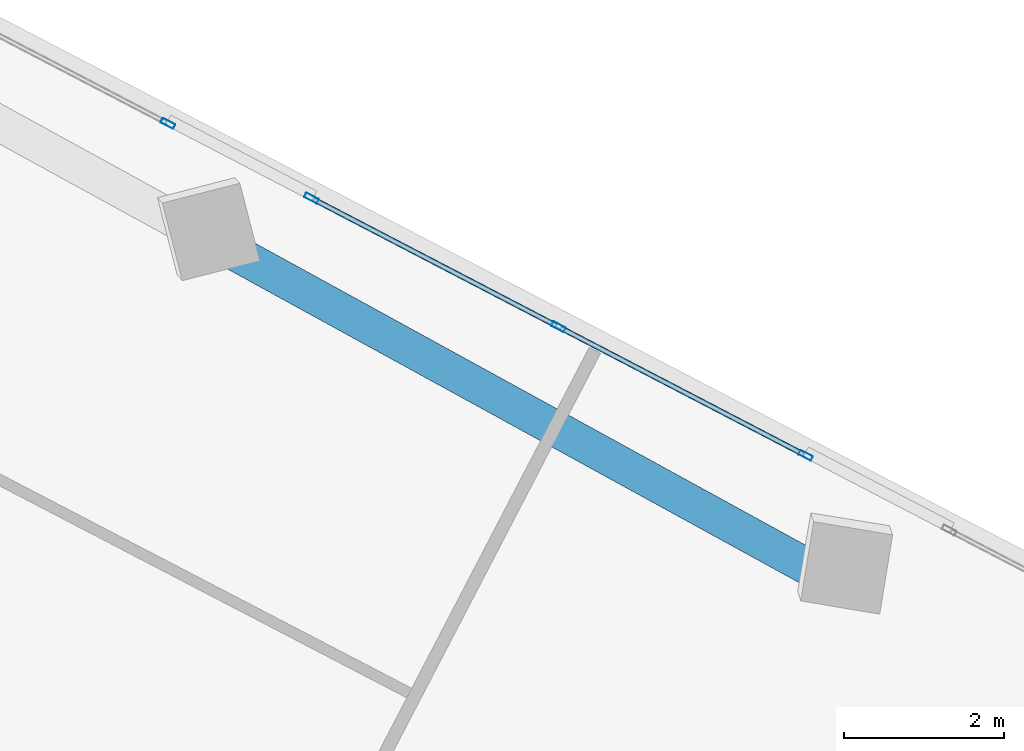
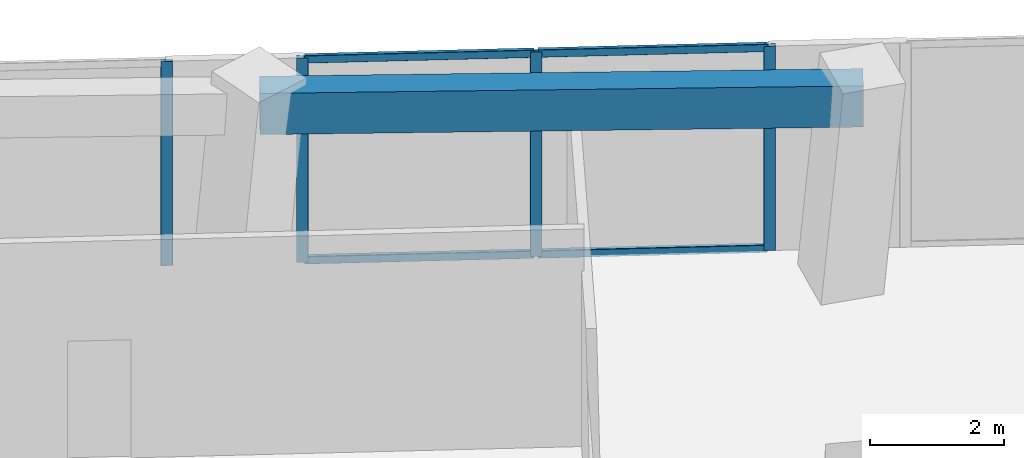
# One storey, part 15 of 22: 8 members, 1 beam, 2 elements without a shape of their own.
"""IFC4 building model written with IfcOpenShell, lengths in metres."""

from ifc_helpers import new_model, si_unit, direction, frame, origin, origin_2d, place, context, subcontext, project, spatial, rectangle, hollow_rectangle, extrude, source, transform, mapped, material, material_profile, profile_set, type_object, element, aggregate, save


model = new_model("IFC4")

# Units and contexts
model_context = context("Model", 3, precision=1e-05, world=origin(), true_north=direction((0.0, 1.0)))
body_context = subcontext(model_context, "Body", "Model", "MODEL_VIEW")
ifc_project = project(units=[si_unit("LENGTHUNIT", "METRE"), si_unit("AREAUNIT", "SQUARE_METRE"), si_unit("VOLUMEUNIT", "CUBIC_METRE"), si_unit("PLANEANGLEUNIT", "RADIAN"), si_unit("MASSUNIT", "GRAM", prefix="KILO")], contexts=[model_context])

# Site, building, storey
site_placement = place(None, origin())
site = spatial("IfcSite", under=ifc_project, at=site_placement, CompositionType="ELEMENT")
building_placement = place(site_placement, origin())
building = spatial("IfcBuilding", under=site, at=building_placement, Name="Torre Montelarca", CompositionType="ELEMENT")
storey_placement = place(building_placement, frame((0.0, 0.0, 170.800048828125)))
storey = spatial("IfcBuildingStorey", under=building, at=storey_placement, Name="L38", CompositionType="ELEMENT", Elevation=170.800048828125)

# Beam
ifc_material_1 = material(Name="Concrete C55/67", Category="concrete")
ifc_material_profile_1 = material_profile(ifc_material_1, rectangle(XDim=0.449951171875, YDim=0.75, at=origin_2d()), Name="RCB450X750", Category="concrete")
ifc_profile_set_1 = profile_set([ifc_material_profile_1], Name="Concrete C55/67")
beam_type = type_object("IfcBeamType", Name="BM-SP-RC750-EXT", PredefinedType="SPANDREL", material=ifc_profile_set_1)
shared_shape_1 = source(origin(), body_context, "Body", "SweptSolid", [
    extrude(rectangle(XDim=0.449951171875, YDim=0.75, at=origin_2d()), origin(), (0.0, 0.0, 1.0), 9.0),
])
beam_placement = place(storey_placement, frame((33.60888671875, 42.636962890625, 3.5849609375), z_axis=(0.876730864436, -0.48098127962, 0.0), x_axis=(0.48098127962, 0.876730864436, 0.0)))
element("IfcBeam", 1, at=beam_placement, inside=storey, type_object=beam_type, Name="L38 Grid Girder X 27.0-36.0 at Y=47.1", PredefinedType="SPANDREL", context=body_context, shape_type="MappedRepresentation", body=[
    mapped(shared_shape_1, transform((0.0, 0.0, 0.0), scale=1.0)),
])

# Curtain wall, members
ifc_material_2 = material(Name="Insulated low-E laminated glass", Category="glass")
curtain_wall_type = type_object("IfcCurtainWallType", Name="CW-SYS-Z2", PredefinedType="USERDEFINED", material=ifc_material_2)
curtain_wall_1_placement = place(storey_placement, origin())
curtain_wall_1 = element("IfcCurtainWall", 2, at=curtain_wall_1_placement, inside=storey, type_object=curtain_wall_type, Name="L38 Curtain Wall Run CW-T3-L38-E08-B2", ObjectType="UNITISED GLAZING", PredefinedType="USERDEFINED")
ifc_material_3 = material(Name="Anodised aluminium AA 6063-T6", Category="aluminium")
ifc_material_profile_2 = material_profile(ifc_material_3, hollow_rectangle(XDim=0.06494140625, YDim=0.179931640625, WallThickness=0.00390625, InnerFilletRadius=0.00390625, OuterFilletRadius=0.008056640625, at=origin_2d()), Name="ALU65X180X4", Category="aluminium")
ifc_profile_set_2 = profile_set([ifc_material_profile_2], Name="Anodised aluminium AA 6063-T6")
member_type_1 = type_object("IfcMemberType", Name="CWM-ALU180", PredefinedType="MULLION", material=ifc_profile_set_2)
shared_shape_2 = source(origin(), body_context, "Body", "SweptSolid", [
    extrude(hollow_rectangle(XDim=0.06494140625, YDim=0.179931640625, WallThickness=0.00390625, InnerFilletRadius=0.00390625, OuterFilletRadius=0.008056640625, at=origin_2d()), origin(), (0.0, 0.0, 1.0), 3.719970703125),
])
member_1_placement = place(storey_placement, frame((40.8837890625, 40.026611328125, 0.0), z_axis=(0.0, 0.0, 1.0), x_axis=(-0.461745384352, -0.887012514021, 0.0)))
member_1 = element("IfcMember", 3, at=member_1_placement, type_object=member_type_1, Name="CW mullion 1", PredefinedType="MULLION", context=body_context, shape_type="MappedRepresentation", body=[
    mapped(shared_shape_2, transform((0.0, 0.0, 0.0), scale=1.0)),
])
member_2_placement = place(storey_placement, frame((37.790283203125, 41.63671875, 0.0), z_axis=(0.0, 0.0, 1.0), x_axis=(-0.461745384352, -0.887012514021, 0.0)))
member_2 = element("IfcMember", 4, at=member_2_placement, type_object=member_type_1, Name="CW mullion 2", PredefinedType="MULLION", context=body_context, shape_type="MappedRepresentation", body=[
    mapped(shared_shape_2, transform((0.0, 0.0, 0.0), scale=1.0)),
])
member_3_placement = place(storey_placement, frame((34.697021484375, 43.2470703125, 0.0), z_axis=(0.0, 0.0, 1.0), x_axis=(-0.461745384352, -0.887012514021, 0.0)))
member_3 = element("IfcMember", 5, at=member_3_placement, type_object=member_type_1, Name="CW mullion 3", PredefinedType="MULLION", context=body_context, shape_type="MappedRepresentation", body=[
    mapped(shared_shape_2, transform((0.0, 0.0, 0.0), scale=1.0)),
])

# Curtain wall, member
curtain_wall_2_placement = place(storey_placement, origin())
curtain_wall_2 = element("IfcCurtainWall", 6, at=curtain_wall_2_placement, inside=storey, type_object=curtain_wall_type, Name="L38 Curtain Wall Run CW-T3-L38-E08-B3", ObjectType="UNITISED GLAZING", PredefinedType="USERDEFINED")
member_4_placement = place(storey_placement, frame((32.90087890625, 44.18212890625, 0.0), z_axis=(0.0, 0.0, 1.0), x_axis=(-0.461744115846, -0.887013174356, 0.0)))
member_4 = element("IfcMember", 7, at=member_4_placement, type_object=member_type_1, Name="CW mullion 1", PredefinedType="MULLION", context=body_context, shape_type="MappedRepresentation", body=[
    mapped(shared_shape_2, transform((0.0, 0.0, 0.0), scale=1.0)),
])
aggregate(curtain_wall_2, [member_4])

# Member
ifc_material_profile_3 = material_profile(ifc_material_3, hollow_rectangle(XDim=0.06494140625, YDim=0.139892578125, WallThickness=0.00390625, InnerFilletRadius=0.00390625, OuterFilletRadius=0.008056640625, at=origin_2d()), Name="ALU65X140X4", Category="aluminium")
ifc_profile_set_3 = profile_set([ifc_material_profile_3], Name="Anodised aluminium AA 6063-T6")
member_type_2 = type_object("IfcMemberType", Name="CWT-ALU140", PredefinedType="USERDEFINED", material=ifc_profile_set_3)
shared_shape_3 = source(origin(), body_context, "Body", "SweptSolid", [
    extrude(hollow_rectangle(XDim=0.06494140625, YDim=0.139892578125, WallThickness=0.00390625, InnerFilletRadius=0.00390625, OuterFilletRadius=0.008056640625, at=origin_2d()), origin(), (0.0, 0.0, 1.0), 3.42236328125),
])
member_5_placement = place(storey_placement, frame((40.85498046875, 40.04150390625, 0.032470703125), z_axis=(-0.887002964865, 0.461763727809, 0.0), x_axis=(-0.461763727809, -0.887002964865, 0.0)))
member_5 = element("IfcMember", 8, at=member_5_placement, type_object=member_type_2, Name="CW transom 1.1", ObjectType="TRANSOM", PredefinedType="USERDEFINED", context=body_context, shape_type="MappedRepresentation", body=[
    mapped(shared_shape_3, transform((0.0, 0.0, 0.0), scale=1.0)),
])

member_6_placement = place(storey_placement, frame((40.85498046875, 40.04150390625, 3.6875), z_axis=(-0.887002964865, 0.461763727809, 0.0), x_axis=(-0.461763727809, -0.887002964865, 0.0)))
member_6 = element("IfcMember", 9, at=member_6_placement, type_object=member_type_2, Name="CW transom 1.2", ObjectType="TRANSOM", PredefinedType="USERDEFINED", context=body_context, shape_type="MappedRepresentation", body=[
    mapped(shared_shape_3, transform((0.0, 0.0, 0.0), scale=1.0)),
])

member_7_placement = place(storey_placement, frame((37.761474609375, 41.65185546875, 0.032470703125), z_axis=(-0.887002964865, 0.461763727809, 0.0), x_axis=(-0.461763727809, -0.887002964865, 0.0)))
member_7 = element("IfcMember", 10, at=member_7_placement, type_object=member_type_2, Name="CW transom 2.1", ObjectType="TRANSOM", PredefinedType="USERDEFINED", context=body_context, shape_type="MappedRepresentation", body=[
    mapped(shared_shape_3, transform((0.0, 0.0, 0.0), scale=1.0)),
])

member_8_placement = place(storey_placement, frame((37.761474609375, 41.65185546875, 3.6875), z_axis=(-0.887002964865, 0.461763727809, 0.0), x_axis=(-0.461763727809, -0.887002964865, 0.0)))
member_8 = element("IfcMember", 11, at=member_8_placement, type_object=member_type_2, Name="CW transom 2.2", ObjectType="TRANSOM", PredefinedType="USERDEFINED", context=body_context, shape_type="MappedRepresentation", body=[
    mapped(shared_shape_3, transform((0.0, 0.0, 0.0), scale=1.0)),
])

aggregate(curtain_wall_1, [member_1, member_2, member_3, member_5, member_6, member_7, member_8])

save(model, "model.ifc")
